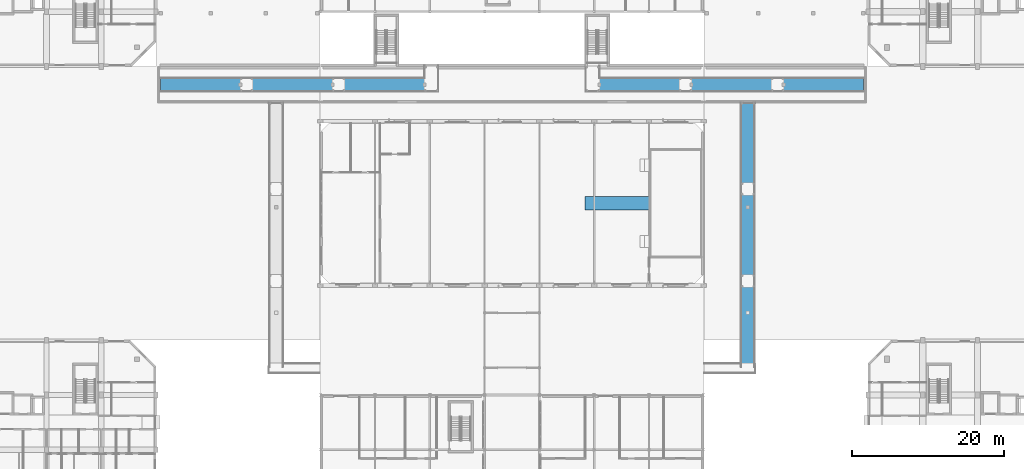
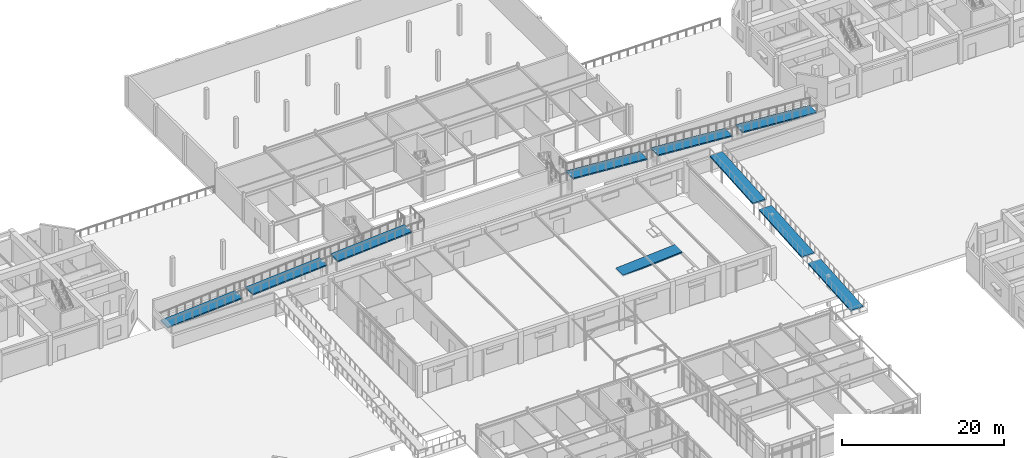
# One storey, part 72 of 85: 10 ramp flights, 4 elements without a shape of their own.
"""IFC4 building model written with IfcOpenShell, lengths in metres."""

from ifc_helpers import new_model, si_unit, direction, frame, origin, place, context, subcontext, project, spatial, polyline, outline, extrude, material, layer, layer_set, type_object, element, aggregate, save


model = new_model("IFC4")

# Units and contexts
model_context = context("Model", 3, precision=1e-05, world=origin(), true_north=direction((0.0, 1.0)))
body_context = subcontext(model_context, "Body", "Model", "MODEL_VIEW")
ifc_project = project(units=[si_unit("LENGTHUNIT", "METRE"), si_unit("AREAUNIT", "SQUARE_METRE"), si_unit("VOLUMEUNIT", "CUBIC_METRE"), si_unit("PLANEANGLEUNIT", "RADIAN"), si_unit("MASSUNIT", "GRAM", prefix="KILO")], contexts=[model_context])

# Site, building, storey
site_placement = place(None, origin())
site = spatial("IfcSite", under=ifc_project, at=site_placement, CompositionType="ELEMENT")
building_placement = place(site_placement, origin())
building = spatial("IfcBuilding", under=site, at=building_placement, Name="Ochrevale Crest", CompositionType="ELEMENT")
storey_placement = place(building_placement, origin())
storey = spatial("IfcBuildingStorey", under=building, at=storey_placement, Name="L00", CompositionType="ELEMENT", Elevation=0.0)

# Ramp, ramp flights
ifc_material = material(Name="Concrete C40/50", Category="concrete")
ramp_type_1 = type_object("IfcRampType", Name="RMP-ACC", PredefinedType="USERDEFINED", material=ifc_material)
ramp_1_placement = place(storey_placement, origin())
ramp_1 = element("IfcRamp", 1, at=ramp_1_placement, inside=storey, type_object=ramp_type_1, Name="East hillside Step 1 to Step 2 accessible ramp", ObjectType="ACCESSIBLE RAMP", PredefinedType="USERDEFINED")
ifc_layer_1 = layer(ifc_material, 0.199951171875)
ifc_layer_set_1 = layer_set([ifc_layer_1], Name="Concrete C40/50")
ramp_flight_type_1 = type_object("IfcRampFlightType", Name="RFL-ACC-200", PredefinedType="STRAIGHT", material=ifc_layer_set_1)
ramp_flight_1_placement = place(storey_placement, frame((113.800048828125, 32.5, 0.0), z_axis=(0.0, 0.0, 1.0), x_axis=(0.0, 1.0, 0.0)))
ramp_flight_1 = element("IfcRampFlight", 2, at=ramp_flight_1_placement, type_object=ramp_flight_type_1, Name="East hillside Step 1 to Step 2 accessible ramp flight 1", PredefinedType="STRAIGHT", context=body_context, shape_type="SweptSolid", body=[
    extrude(outline(polyline([(0.0, -0.199951171875), (10.580078125, 0.550048828125), (10.580078125, 0.75), (0.0, 0.0), (0.0, -0.199951171875)])), frame((0.0, 0.89990234375, 0.0), z_axis=(0.0, -1.0, 0.0), x_axis=(1.0, 0.0, 0.0)), (0.0, 0.0, 1.0), 1.800048828125),
])
ramp_flight_2_placement = place(storey_placement, frame((113.800048828125, 44.56005859375, 0.75), z_axis=(0.0, 0.0, 1.0), x_axis=(0.0, 1.0, 0.0)))
ramp_flight_2 = element("IfcRampFlight", 3, at=ramp_flight_2_placement, type_object=ramp_flight_type_1, Name="East hillside Step 1 to Step 2 accessible ramp flight 2", PredefinedType="STRAIGHT", context=body_context, shape_type="SweptSolid", body=[
    extrude(outline(polyline([(0.0, -0.199951171875), (10.580078125, 0.550048828125), (10.580078125, 0.75), (0.0, 0.0), (0.0, -0.199951171875)])), frame((0.0, 0.89990234375, 0.0), z_axis=(0.0, -1.0, 0.0), x_axis=(1.0, 0.0, 0.0)), (0.0, 0.0, 1.0), 1.800048828125),
])
ramp_flight_3_placement = place(storey_placement, frame((113.800048828125, 56.659912109375, 1.5), z_axis=(0.0, 0.0, 1.0), x_axis=(0.0, 1.0, 0.0)))
ramp_flight_3 = element("IfcRampFlight", 4, at=ramp_flight_3_placement, type_object=ramp_flight_type_1, Name="East hillside Step 1 to Step 2 accessible ramp flight 3", PredefinedType="STRAIGHT", context=body_context, shape_type="SweptSolid", body=[
    extrude(outline(polyline([(0.0, -0.199951171875), (10.590087890625, 0.550048828125), (10.590087890625, 0.75), (0.0, 0.0), (0.0, -0.199951171875)])), frame((0.0, 0.89990234375, 0.0), z_axis=(0.0, -1.0, 0.0), x_axis=(1.0, 0.0, 0.0)), (0.0, 0.0, 1.0), 1.800048828125),
])
aggregate(ramp_1, [ramp_flight_1, ramp_flight_2, ramp_flight_3])

ramp_2_placement = place(storey_placement, origin())
ramp_2 = element("IfcRamp", 5, at=ramp_2_placement, inside=storey, type_object=ramp_type_1, Name="West hillside Step 2 to Step 3 accessible ramp", ObjectType="ACCESSIBLE RAMP", PredefinedType="USERDEFINED")
ramp_flight_4_placement = place(storey_placement, frame((36.60009765625, 69.60009765625, 2.25), z_axis=(0.0, 0.0, 1.0), x_axis=(1.0, 0.0, 0.0)))
ramp_flight_4 = element("IfcRampFlight", 6, at=ramp_flight_4_placement, type_object=ramp_flight_type_1, Name="West hillside Step 2 to Step 3 accessible ramp flight 1", PredefinedType="STRAIGHT", context=body_context, shape_type="SweptSolid", body=[
    extrude(outline(polyline([(0.0, -0.199951171875), (10.580078125, 0.550048828125), (10.580078125, 0.75), (0.0, 0.0), (0.0, -0.199951171875)])), frame((0.0, 0.89990234375, 0.0), z_axis=(0.0, -1.0, 0.0), x_axis=(1.0, 0.0, 0.0)), (0.0, 0.0, 1.0), 1.800048828125),
])
ramp_flight_5_placement = place(storey_placement, frame((48.659912109375, 69.60009765625, 3.0), z_axis=(0.0, 0.0, 1.0), x_axis=(1.0, 0.0, 0.0)))
ramp_flight_5 = element("IfcRampFlight", 7, at=ramp_flight_5_placement, type_object=ramp_flight_type_1, Name="West hillside Step 2 to Step 3 accessible ramp flight 2", PredefinedType="STRAIGHT", context=body_context, shape_type="SweptSolid", body=[
    extrude(outline(polyline([(0.0, -0.199951171875), (10.580078125, 0.550048828125), (10.580078125, 0.75), (0.0, 0.0), (0.0, -0.199951171875)])), frame((0.0, 0.89990234375, 0.0), z_axis=(0.0, -1.0, 0.0), x_axis=(1.0, 0.0, 0.0)), (0.0, 0.0, 1.0), 1.800048828125),
])
ramp_flight_6_placement = place(storey_placement, frame((60.760009765625, 69.60009765625, 3.75), z_axis=(0.0, 0.0, 1.0), x_axis=(1.0, 0.0, 0.0)))
ramp_flight_6 = element("IfcRampFlight", 8, at=ramp_flight_6_placement, type_object=ramp_flight_type_1, Name="West hillside Step 2 to Step 3 accessible ramp flight 3", PredefinedType="STRAIGHT", context=body_context, shape_type="SweptSolid", body=[
    extrude(outline(polyline([(0.0, -0.199951171875), (10.580078125, 0.550048828125), (10.580078125, 0.75), (0.0, 0.0), (0.0, -0.199951171875)])), frame((0.0, 0.89990234375, 0.0), z_axis=(0.0, -1.0, 0.0), x_axis=(1.0, 0.0, 0.0)), (0.0, 0.0, 1.0), 1.800048828125),
])
aggregate(ramp_2, [ramp_flight_4, ramp_flight_5, ramp_flight_6])

ramp_3_placement = place(storey_placement, origin())
ramp_3 = element("IfcRamp", 9, at=ramp_3_placement, inside=storey, type_object=ramp_type_1, Name="East hillside Step 2 to Step 3 accessible ramp", ObjectType="ACCESSIBLE RAMP", PredefinedType="USERDEFINED")
ramp_flight_7_placement = place(storey_placement, frame((129.0, 69.60009765625, 2.25), z_axis=(0.0, 0.0, 1.0), x_axis=(-1.0, 0.0, 0.0)))
ramp_flight_7 = element("IfcRampFlight", 10, at=ramp_flight_7_placement, type_object=ramp_flight_type_1, Name="East hillside Step 2 to Step 3 accessible ramp flight 1", PredefinedType="STRAIGHT", context=body_context, shape_type="SweptSolid", body=[
    extrude(outline(polyline([(0.0, -0.199951171875), (10.580078125, 0.550048828125), (10.580078125, 0.75), (0.0, 0.0), (0.0, -0.199951171875)])), frame((0.0, 0.89990234375, 0.0), z_axis=(0.0, -1.0, 0.0), x_axis=(1.0, 0.0, 0.0)), (0.0, 0.0, 1.0), 1.800048828125),
])
ramp_flight_8_placement = place(storey_placement, frame((116.93994140625, 69.60009765625, 3.0), z_axis=(0.0, 0.0, 1.0), x_axis=(-1.0, 0.0, 0.0)))
ramp_flight_8 = element("IfcRampFlight", 11, at=ramp_flight_8_placement, type_object=ramp_flight_type_1, Name="East hillside Step 2 to Step 3 accessible ramp flight 2", PredefinedType="STRAIGHT", context=body_context, shape_type="SweptSolid", body=[
    extrude(outline(polyline([(0.0, -0.199951171875), (10.580078125, 0.550048828125), (10.580078125, 0.75), (0.0, 0.0), (0.0, -0.199951171875)])), frame((0.0, 0.89990234375, 0.0), z_axis=(0.0, -1.0, 0.0), x_axis=(1.0, 0.0, 0.0)), (0.0, 0.0, 1.0), 1.800048828125),
])
ramp_flight_9_placement = place(storey_placement, frame((104.840087890625, 69.60009765625, 3.75), z_axis=(0.0, 0.0, 1.0), x_axis=(-1.0, 0.0, 0.0)))
ramp_flight_9 = element("IfcRampFlight", 12, at=ramp_flight_9_placement, type_object=ramp_flight_type_1, Name="East hillside Step 2 to Step 3 accessible ramp flight 3", PredefinedType="STRAIGHT", context=body_context, shape_type="SweptSolid", body=[
    extrude(outline(polyline([(0.0, -0.199951171875), (10.580078125, 0.550048828125), (10.580078125, 0.75), (0.0, 0.0), (0.0, -0.199951171875)])), frame((0.0, 0.89990234375, 0.0), z_axis=(0.0, -1.0, 0.0), x_axis=(1.0, 0.0, 0.0)), (0.0, 0.0, 1.0), 1.800048828125),
])
aggregate(ramp_3, [ramp_flight_7, ramp_flight_8, ramp_flight_9])

# Ramp, ramp flight
ramp_type_2 = type_object("IfcRampType", Name="RMP-ACC-INT", PredefinedType="USERDEFINED", material=ifc_material)
ramp_4_placement = place(storey_placement, origin())
ramp_4 = element("IfcRamp", 13, at=ramp_4_placement, inside=storey, type_object=ramp_type_2, Name="Community hall stage 1:14 accessible ramp", ObjectType="ACCESSIBLE RAMP", PredefinedType="USERDEFINED")
ifc_layer_2 = layer(ifc_material, 0.199951171875)
ifc_layer_set_2 = layer_set([ifc_layer_2], Name="Concrete C40/50")
ramp_flight_type_2 = type_object("IfcRampFlightType", Name="RFL-ACC-INT-200", PredefinedType="STRAIGHT", material=ifc_layer_set_2)
ramp_flight_10_placement = place(storey_placement, frame((92.3798828125, 54.0, 0.0), z_axis=(0.0, 0.0, 1.0), x_axis=(1.0, 0.0, 0.0)))
ramp_flight_10 = element("IfcRampFlight", 14, at=ramp_flight_10_placement, type_object=ramp_flight_type_2, Name="Community hall stage accessible ramp flight", PredefinedType="STRAIGHT", context=body_context, shape_type="SweptSolid", body=[
    extrude(outline(polyline([(0.0, -0.199951171875), (8.4599609375, 0.400146484375), (8.4599609375, 0.60009765625), (0.0, 0.0), (0.0, -0.199951171875)])), frame((0.0, 0.89990234375, 0.0), z_axis=(0.0, -1.0, 0.0), x_axis=(1.0, 0.0, 0.0)), (0.0, 0.0, 1.0), 1.800048828125),
])
aggregate(ramp_4, [ramp_flight_10])

save(model, "model.ifc")
